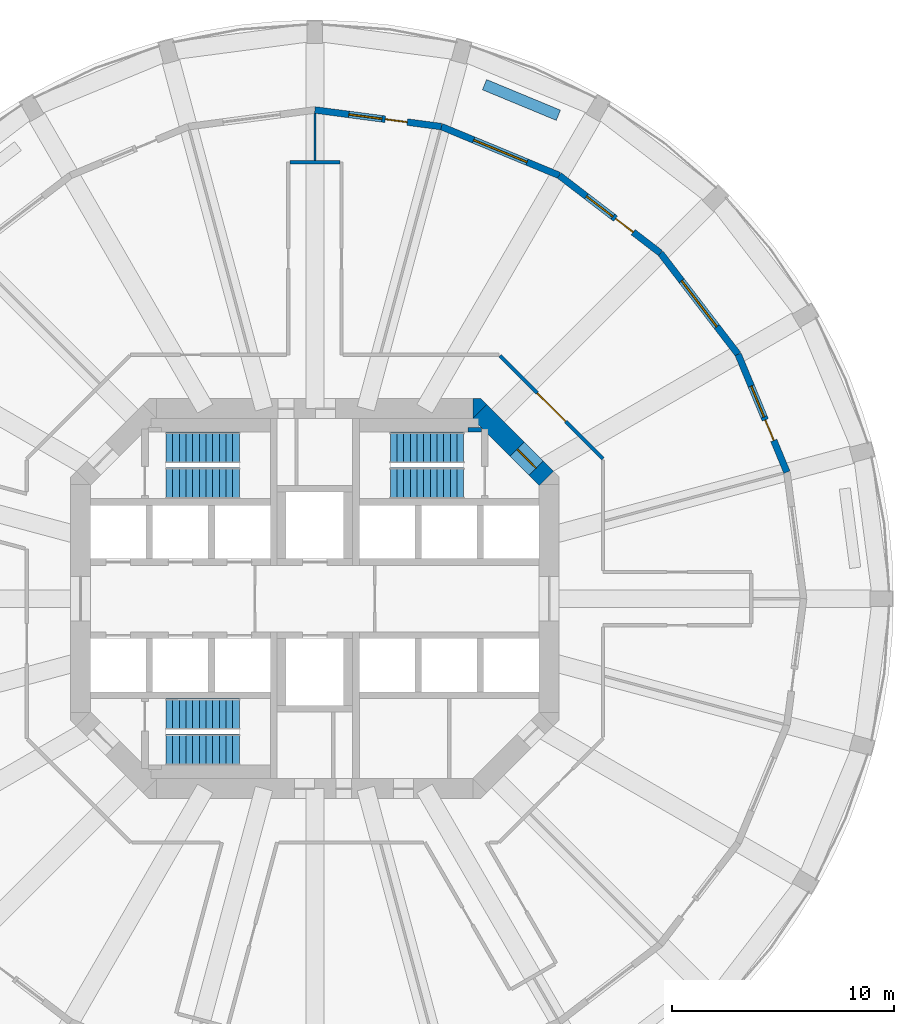
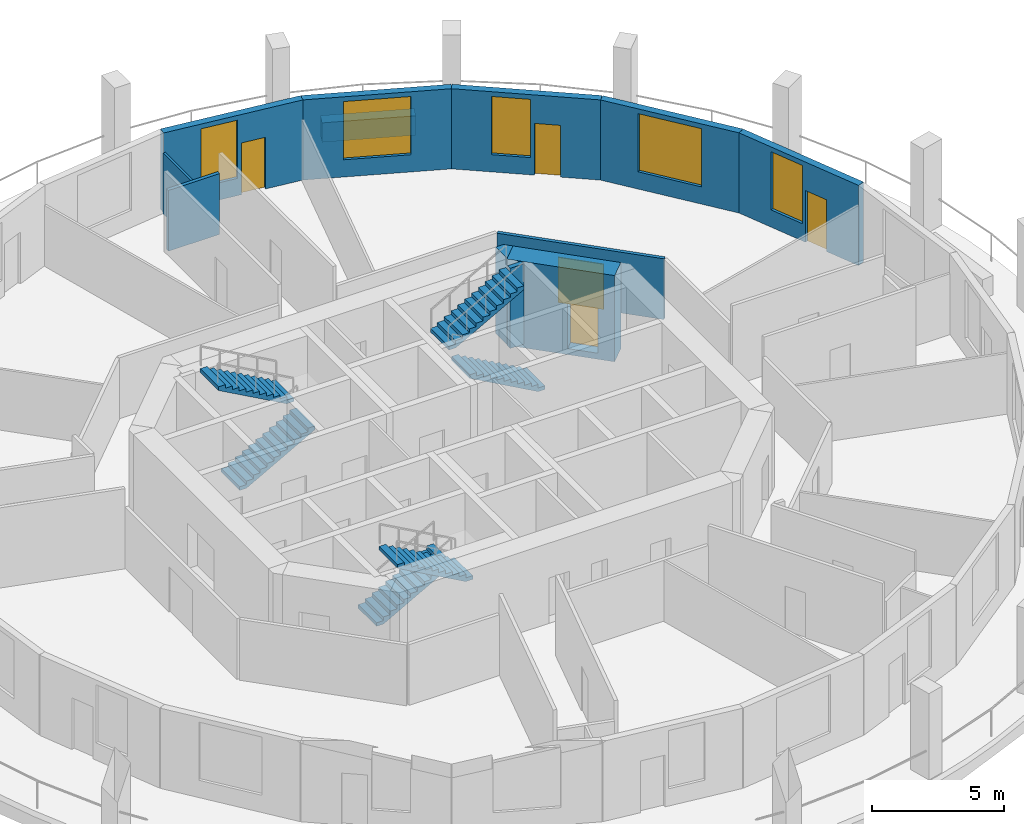
# One storey, part 6 of 8: 12 walls, 6 stair flights, 5 doors, 5 windows, 10 openings, 3 elements without a shape of their own.
"""IFC4 building model written with IfcOpenShell, lengths in metres."""

import ifcopenshell
import ifcopenshell.guid

model = None  # the IFC model being written
_history = None  # IfcOwnerHistory: only IFC2X3 demands one
_inside = {}  # id of a spatial element -> (the spatial element, [elements in it])
_under = {}  # id of a project, library or spatial element -> (it, [spatial elements below it])
_declared = {}  # id of a project -> (the project, [libraries it declares])
_typed = {}  # id of a type object -> (the type object, [elements of that type])
_made_of = {}  # id of a material, layer set ... -> (it, [elements and type objects made of it])


def new_model(schema):
    """Start an empty IFC model of exactly this schema.

    Asked for "IFC4X3", IfcOpenShell would pick the latest addendum, in which some entities
    have other attributes; the version numbers below select the first issue.
    IFC2X3 requires an IfcOwnerHistory on every rooted entity: one is made here for all.
    """
    global model, _history
    if schema == "IFC4X3":
        model = ifcopenshell.file(schema_version=(4, 3, 0, 0))
    else:
        model = ifcopenshell.file(schema=schema)
    _inside.clear()
    _under.clear()
    _declared.clear()
    _typed.clear()
    _made_of.clear()
    _history = None
    if model.schema == "IFC2X3":
        org = make("IfcOrganization", Name="unknown")
        user = make(
            "IfcPersonAndOrganization",
            ThePerson=make("IfcPerson", FamilyName="unknown"),
            TheOrganization=org,
        )
        app = make(
            "IfcApplication",
            ApplicationDeveloper=org,
            Version="unknown",
            ApplicationFullName="unknown",
            ApplicationIdentifier="unknown",
        )
        _history = make(
            "IfcOwnerHistory",
            OwningUser=user,
            OwningApplication=app,
            ChangeAction="ADDED",
            CreationDate=0,
        )
    return model


def make(cls, **values):
    """One entity of the class cls with the attributes given. An attribute that is None is left unset."""
    return model.create_entity(
        cls, **{name: value for name, value in values.items() if value is not None}
    )


def rooted(cls, **values):
    """An entity with a GlobalId (a new one), such as an element, a storey or a relation."""
    return make(cls, GlobalId=ifcopenshell.guid.new(), OwnerHistory=_history, **values)


def si_unit(unit_type, name, prefix=None):
    """IfcSIUnit, for example si_unit("LENGTHUNIT", "METRE", prefix="MILLI")."""
    return make("IfcSIUnit", UnitType=unit_type, Prefix=prefix, Name=name)


def assignment(units):
    """IfcUnitAssignment: the units of a project."""
    return None if units is None else make("IfcUnitAssignment", Units=units)


def point(xyz):
    """IfcCartesianPoint."""
    return None if xyz is None else make("IfcCartesianPoint", Coordinates=xyz)


def direction(xyz):
    """IfcDirection."""
    return None if xyz is None else make("IfcDirection", DirectionRatios=xyz)


def frame(location, z_axis=None, x_axis=None):
    """IfcAxis2Placement3D, a coordinate frame: its origin and axes. An axis left out is left unset."""
    return make(
        "IfcAxis2Placement3D",
        Location=point(location),
        Axis=direction(z_axis),
        RefDirection=direction(x_axis),
    )


def frame_2d(location, x_axis=None):
    """IfcAxis2Placement2D, a coordinate frame in the plane: its origin and x axis."""
    return make(
        "IfcAxis2Placement2D", Location=point(location), RefDirection=direction(x_axis)
    )


def origin():
    """The frame at (0, 0, 0) with its axes left unset."""
    return frame((0.0, 0.0, 0.0))


def place(relative_to, where):
    """IfcLocalPlacement: puts the frame where relative to a parent placement (None: the world)."""
    return make(
        "IfcLocalPlacement", PlacementRelTo=relative_to, RelativePlacement=where
    )


def context(
    kind, dimensions, precision=None, world=None, true_north=None, identifier=None
):
    """IfcGeometricRepresentationContext, for example the 3D "Model" context."""
    return make(
        "IfcGeometricRepresentationContext",
        ContextIdentifier=identifier,
        ContextType=kind,
        CoordinateSpaceDimension=dimensions,
        Precision=precision,
        WorldCoordinateSystem=world,
        TrueNorth=true_north,
    )


def subcontext(parent, identifier, kind, view, scale=None):
    """IfcGeometricRepresentationSubContext, for example "Body" below "Model"."""
    return make(
        "IfcGeometricRepresentationSubContext",
        ContextIdentifier=identifier,
        ContextType=kind,
        ParentContext=parent,
        TargetScale=scale,
        TargetView=view,
    )


def project(units=None, contexts=None):
    """IfcProject with its units and contexts."""
    return rooted(
        "IfcProject",
        Name="project",
        RepresentationContexts=contexts,
        UnitsInContext=assignment(units),
    )


def spatial(cls, under=None, at=None, **own):
    """A site, building, storey or space (cls), placed at a placement, below another one or the project."""
    s = rooted(cls, ObjectPlacement=at, **own)
    if under is not None:
        _under.setdefault(under.id(), (under, []))[1].append(s)
    return s


def polyline(points):
    """IfcPolyline through the points."""
    return make("IfcPolyline", Points=[point(p) for p in points])


def profile(cls, at=None, kind="AREA", **sizes):
    """A parametric profile (cls). Its sizes go by their IFC names, for example OverallWidth=200.0."""
    return make(cls, ProfileType=kind, Position=at, **sizes)


def rectangle(**sizes):
    """IfcRectangleProfileDef."""
    return profile("IfcRectangleProfileDef", **sizes)


def outline(outer, holes=None, kind="AREA"):
    """IfcArbitraryClosedProfileDef: a profile drawn as a closed curve; with holes, ...WithVoids."""
    if holes is None:
        return make("IfcArbitraryClosedProfileDef", ProfileType=kind, OuterCurve=outer)
    return make(
        "IfcArbitraryProfileDefWithVoids",
        ProfileType=kind,
        OuterCurve=outer,
        InnerCurves=holes,
    )


def extrude(swept, where, along, depth):
    """IfcExtrudedAreaSolid: the profile swept, set in the frame where, extruded along a direction by depth."""
    return make(
        "IfcExtrudedAreaSolid",
        SweptArea=swept,
        Position=where,
        ExtrudedDirection=direction(along),
        Depth=depth,
    )


def shape(context_of_items, identifier, shape_type, items):
    """IfcShapeRepresentation: the items that make up one representation, for example the "Body"."""
    return make(
        "IfcShapeRepresentation",
        ContextOfItems=context_of_items,
        RepresentationIdentifier=identifier,
        RepresentationType=shape_type,
        Items=items,
    )


def material(Name=None, Category=None):
    """IfcMaterial."""
    return make("IfcMaterial", Name=Name, Category=Category)


def layer(
    of_material, thickness, ventilated=None, Name=None, Category=None, Priority=None
):
    """IfcMaterialLayer: one layer of a wall or slab, of a material (None: an air gap)."""
    return make(
        "IfcMaterialLayer",
        Material=of_material,
        LayerThickness=thickness,
        IsVentilated=ventilated,
        Name=Name,
        Category=Category,
        Priority=Priority,
    )


def layer_set(layers, Name=None):
    """IfcMaterialLayerSet."""
    return make("IfcMaterialLayerSet", MaterialLayers=layers, LayerSetName=Name)


def made_of(thing, what):
    """Note that an element or type object is made of a material, layer set ...; save() writes the relation."""
    if what is not None:
        _made_of.setdefault(what.id(), (what, []))[1].append(thing)
    return thing


def type_object(cls, material=None, **own):
    """A type object (cls), such as IfcWallType, which elements share."""
    return made_of(rooted(cls, **own), material)


def element(
    cls,
    number,
    at=None,
    inside=None,
    cuts=None,
    type_object=None,
    material=None,
    context=None,
    identifier="Body",
    shape_type=None,
    held_by="IfcProductDefinitionShape",
    body=None,
    shapes=None,
    **own,
):
    """One element of the class cls, such as IfcWall. Its Tag is "e" and its number.

    at: its placement. inside: the storey or other place that contains it. cuts: it is an
    opening in that element (IfcRelVoidsElement). A single representation is given by context,
    identifier, shape_type and body (its items); several are given by shapes. held_by: the class
    of the entity that holds the representations. save() writes the other relations.
    """
    e = rooted(cls, Tag="e%d" % number, ObjectPlacement=at, **own)
    if body is not None:
        shapes = [shape(context, identifier, shape_type, body)]
    if shapes is not None:
        e.Representation = make(held_by, Representations=shapes)
    if inside is not None:
        _inside.setdefault(inside.id(), (inside, []))[1].append(e)
    if cuts is not None:
        rooted(
            "IfcRelVoidsElement", RelatingBuildingElement=cuts, RelatedOpeningElement=e
        )
    if type_object is not None:
        _typed.setdefault(type_object.id(), (type_object, []))[1].append(e)
    return made_of(e, material)


def fill(opening, filler):
    """IfcRelFillsElement: the door or window that sits in an opening."""
    return rooted(
        "IfcRelFillsElement",
        RelatingOpeningElement=opening,
        RelatedBuildingElement=filler,
    )


def aggregate(whole, parts):
    """IfcRelAggregates: a whole, such as a stair, and the parts it consists of."""
    return rooted("IfcRelAggregates", RelatingObject=whole, RelatedObjects=parts)


def save(model, path):
    """Write the relations noted so far, then the file.

    IfcRelAggregates (storeys below a building ...), IfcRelContainedInSpatialStructure (elements
    in a storey), IfcRelDefinesByType, IfcRelAssociatesMaterial and IfcRelDeclares: one each for
    every whole, place, type object, material and project.
    """
    for whole, parts in _under.values():
        aggregate(whole, parts)
    for where, things in _inside.values():
        rooted(
            "IfcRelContainedInSpatialStructure",
            RelatedElements=things,
            RelatingStructure=where,
        )
    for kind, things in _typed.values():
        rooted("IfcRelDefinesByType", RelatedObjects=things, RelatingType=kind)
    for what, things in _made_of.values():
        rooted("IfcRelAssociatesMaterial", RelatedObjects=things, RelatingMaterial=what)
    for by, libraries in _declared.values():
        rooted("IfcRelDeclares", RelatingContext=by, RelatedDefinitions=libraries)
    model.write(path)


model = new_model("IFC4")

# Units and contexts
model_context = context("Model", 3, precision=1e-05, world=origin(), true_north=direction((0.0, 1.0)))
body_context = subcontext(model_context, "Body", "Model", "MODEL_VIEW")
ifc_project = project(units=[si_unit("LENGTHUNIT", "METRE"), si_unit("AREAUNIT", "SQUARE_METRE"), si_unit("VOLUMEUNIT", "CUBIC_METRE"), si_unit("PLANEANGLEUNIT", "RADIAN"), si_unit("MASSUNIT", "GRAM", prefix="KILO")], contexts=[model_context])

# Site, building, storey
site_placement = place(None, origin())
site = spatial("IfcSite", under=ifc_project, at=site_placement, CompositionType="ELEMENT")
building_placement = place(site_placement, origin())
building = spatial("IfcBuilding", under=site, at=building_placement, Name="Torre Triforio", CompositionType="ELEMENT")
storey_placement = place(building_placement, frame((0.0, 0.0, 86.60009765625)))
storey = spatial("IfcBuildingStorey", under=building, at=storey_placement, Name="L18", CompositionType="ELEMENT", Elevation=86.60009765625)

# Wall, opening, door
ifc_material_1 = material(Name="Concrete C60", Category="concrete")
ifc_layer_1 = layer(ifc_material_1, 0.89990234375)
ifc_layer_set_1 = layer_set([ifc_layer_1], Name="Concrete C60")
wall_type_1 = type_object("IfcWallType", Name="Core wall 900 mm C60 EI 120", PredefinedType="SHEAR", material=ifc_layer_set_1)
wall_1_placement = place(storey_placement, frame((7.418212890625, 8.418212890625, -0.280029296875), z_axis=(0.0, 0.0, 1.0), x_axis=(0.707106781187, -0.707106781187, 0.0)))
wall_1 = element("IfcWall", 1, at=wall_1_placement, inside=storey, type_object=wall_type_1, Name="Core wall", PredefinedType="SHEAR", context=body_context, shape_type="SweptSolid", body=[
    extrude(rectangle(XDim=4.24267578125, YDim=0.89990234375, at=frame_2d((2.121337890625, 0.0))), origin(), (0.0, 0.0, 1.0), 4.0),
])
opening_1_placement = place(wall_1_placement, frame((2.392578125, 0.0, 0.280029296875)))
opening_1 = element("IfcOpeningElement", 2, at=opening_1_placement, cuts=wall_1, Name="Opening ST2-EXIT", PredefinedType="OPENING", context=body_context, shape_type="SweptSolid", body=[
    extrude(rectangle(XDim=1.199951171875, YDim=2.10009765625, at=frame_2d((0.60009765625, 1.050048828125))), frame((0.0, 0.4599609375, 0.0), z_axis=(0.0, -1.0, 0.0), x_axis=(1.0, 0.0, 0.0)), (0.0, 0.0, 1.0), 0.919921875),
])
ifc_material_2 = material(Name="Hollow metal fire door leaf")
door_type_1 = type_object("IfcDoorType", Name="Stair lobby door 1200 x 2100 EI 60", OperationType="NOTDEFINED", PredefinedType="DOOR", material=ifc_material_2)
door_1_placement = place(opening_1_placement, origin())
door_1 = element("IfcDoor", 3, at=door_1_placement, inside=storey, type_object=door_type_1, Name="Core door ST2-EXIT", OperationType="SINGLE_SWING_RIGHT", OverallHeight=2.10009765625, OverallWidth=1.199951171875, PredefinedType="DOOR", context=body_context, shape_type="SweptSolid", body=[
    extrude(rectangle(XDim=1.199951171875, YDim=2.10009765625, at=frame_2d((0.60009765625, 1.050048828125))), frame((0.0, 0.02490234375, 0.0), z_axis=(0.0, -1.0, 0.0), x_axis=(1.0, 0.0, 0.0)), (0.0, 0.0, 1.0), 0.050048828125),
])
fill(opening_1, door_1)

# Walls
wall_2_placement = place(storey_placement, frame((0.0, 0.0, -0.280029296875)))
element("IfcWall", 4, at=wall_2_placement, inside=storey, type_object=wall_type_1, Name="Core wall", PredefinedType="SHEAR", context=body_context, shape_type="SweptSolid", body=[
    extrude(outline(polyline([(7.472900390625, 9.0), (7.736328125, 8.736328125), (7.1298828125, 8.1298828125), (7.1298828125, 9.0), (7.472900390625, 9.0)])), origin(), (0.0, 0.0, 1.0), 4.0),
])
ifc_material_3 = material(Name="Plasterboard on metal studs")
ifc_layer_2 = layer(ifc_material_3, 0.14990234375)
ifc_layer_set_2 = layer_set([ifc_layer_2], Name="Plasterboard on metal studs")
wall_type_2 = type_object("IfcWallType", Name="Corridor and tenancy wall 150 mm EI 60", PredefinedType="PARTITIONING", material=ifc_layer_set_2)
wall_3_placement = place(storey_placement, frame((-1.125, 19.648681640625, 0.0), z_axis=(0.0, 0.0, 1.0), x_axis=(1.0, 0.0, 0.0)))
element("IfcWall", 5, at=wall_3_placement, inside=storey, type_object=wall_type_2, Name="Partition 22", PredefinedType="PARTITIONING", context=body_context, shape_type="SweptSolid", body=[
    extrude(rectangle(XDim=2.25, YDim=0.14990234375, at=frame_2d((1.125, 0.0))), origin(), (0.0, 0.0, 1.0), 2.81982421875),
])

# Wall, opening, door
wall_4_placement = place(storey_placement, frame((8.327880859375, 10.93798828125, 0.0), z_axis=(0.0, 0.0, 1.0), x_axis=(0.707125355289, -0.707088206597, 0.0)))
wall_4 = element("IfcWall", 6, at=wall_4_placement, inside=storey, type_object=wall_type_2, Name="Partition 25", PredefinedType="PARTITIONING", context=body_context, shape_type="SweptSolid", body=[
    extrude(rectangle(XDim=6.572021484375, YDim=0.14990234375, at=frame_2d((3.2861328125, 0.0))), origin(), (0.0, 0.0, 1.0), 2.81982421875),
])
opening_2_placement = place(wall_4_placement, frame((2.385986328125, 0.0, 0.0)))
opening_2 = element("IfcOpeningElement", 7, at=opening_2_placement, cuts=wall_4, Name="Opening N6-01", PredefinedType="OPENING", context=body_context, shape_type="SweptSolid", body=[
    extrude(rectangle(XDim=1.800048828125, YDim=2.10009765625, at=frame_2d((0.89990234375, 1.050048828125))), frame((0.0, 0.0849609375, 0.0), z_axis=(0.0, -1.0, 0.0), x_axis=(1.0, 0.0, 0.0)), (0.0, 0.0, 1.0), 0.169921875),
])
ifc_material_4 = material(Name="Timber", Category="wood")
door_type_2 = type_object("IfcDoorType", Name="Door 1800 x 2100 double leaf EI 30", OperationType="DOUBLE_DOOR_SINGLE_SWING", PredefinedType="DOOR", material=ifc_material_4)
door_2_placement = place(opening_2_placement, origin())
door_2 = element("IfcDoor", 8, at=door_2_placement, inside=storey, type_object=door_type_2, Name="Door N6-01", OperationType="DOUBLE_DOOR_SINGLE_SWING", OverallHeight=2.10009765625, OverallWidth=1.800048828125, PredefinedType="DOOR", context=body_context, shape_type="SweptSolid", body=[
    extrude(rectangle(XDim=1.800048828125, YDim=2.10009765625, at=frame_2d((0.89990234375, 1.050048828125))), frame((0.0, 0.02490234375, 0.0), z_axis=(0.0, -1.0, 0.0), x_axis=(1.0, 0.0, 0.0)), (0.0, 0.0, 1.0), 0.050048828125),
])
fill(opening_2, door_2)

# Walls
ifc_layer_3 = layer(ifc_material_3, 0.10009765625)
ifc_layer_set_3 = layer_set([ifc_layer_3], Name="Plasterboard on metal studs")
wall_type_3 = type_object("IfcWallType", Name="Partition 100 mm board on metal studs", PredefinedType="PARTITIONING", material=ifc_layer_set_3)
wall_5_placement = place(storey_placement, frame((0.0, 19.7236328125, 0.0), z_axis=(0.0, 0.0, 1.0), x_axis=(0.0, 1.0, 0.0)))
element("IfcWall", 9, at=wall_5_placement, inside=storey, type_object=wall_type_3, Name="Partition 32", PredefinedType="PARTITIONING", context=body_context, shape_type="SweptSolid", body=[
    extrude(rectangle(XDim=2.113037109375, YDim=0.10009765625, at=frame_2d((1.056640625, 0.0))), origin(), (0.0, 0.0, 1.0), 2.81982421875),
])
ifc_material_5 = material(Name="Limestone cladding", Category="masonry")
ifc_layer_4 = layer(ifc_material_5, 0.10009765625)
ifc_material_6 = material(Name="Concrete C40", Category="concrete")
ifc_layer_5 = layer(ifc_material_6, 0.39990234375)
ifc_layer_set_4 = layer_set([ifc_layer_4, ifc_layer_5], Name="Limestone cladding / Concrete C40")
wall_type_4 = type_object("IfcWallType", Name="Planter wall 500", PredefinedType="PARAPET", material=ifc_layer_set_4)
wall_6_placement = place(storey_placement, frame((10.962158203125, 21.761474609375, 0.0), z_axis=(0.0, 0.0, 1.0), x_axis=(-0.923875488976, 0.382693194178, 0.0)))
element("IfcWall", 10, at=wall_6_placement, inside=storey, type_object=wall_type_4, Name="Planter L18 bay 05", PredefinedType="PARAPET", context=body_context, shape_type="SweptSolid", body=[
    extrude(rectangle(XDim=3.599853515625, YDim=0.5, at=frame_2d((1.7998046875, 0.0))), origin(), (0.0, 0.0, 1.0), 0.89990234375),
])
ifc_layer_6 = layer(ifc_material_1, 0.199951171875)
ifc_layer_set_5 = layer_set([ifc_layer_6], Name="Concrete C60")
wall_type_5 = type_object("IfcWallType", Name="Stair wall 200 mm C60 EI 120", PredefinedType="SHEAR", material=ifc_layer_set_5)
wall_7_placement = place(storey_placement, frame((6.89990234375, 7.60009765625, 0.0), z_axis=(0.0, 0.0, 1.0), x_axis=(1.0, 0.0, 0.0)))
element("IfcWall", 11, at=wall_7_placement, inside=storey, type_object=wall_type_5, Name="Stair wall", PredefinedType="SHEAR", context=body_context, shape_type="SweptSolid", body=[
    extrude(rectangle(XDim=0.60009765625, YDim=0.199951171875, at=frame_2d((0.300048828125, 0.0))), origin(), (0.0, 0.0, 1.0), 3.719970703125),
])

# Wall, openings, door, window
ifc_layer_7 = layer(ifc_material_5, 0.10009765625)
ifc_layer_8 = layer(ifc_material_6, 0.199951171875)
ifc_layer_set_6 = layer_set([ifc_layer_7, ifc_layer_8], Name="Limestone cladding / Concrete C40")
wall_type_6 = type_object("IfcWallType", Name="Stone-faced composite wall 300", PredefinedType="STANDARD", material=ifc_layer_set_6)
wall_8_placement = place(storey_placement, frame((21.25048828125, 5.694091796875, 0.0), z_axis=(0.0, 0.0, 1.0), x_axis=(-0.382715966503, 0.923866055759, 0.0)))
wall_8 = element("IfcWall", 12, at=wall_8_placement, inside=storey, type_object=wall_type_6, Name="External wall L18 bay 02", PredefinedType="STANDARD", context=body_context, shape_type="SweptSolid", body=[
    extrude(rectangle(XDim=5.7431640625, YDim=0.300048828125, at=frame_2d((2.87158203125, 0.0))), origin(), (0.0, 0.0, 1.0), 3.719970703125),
])
opening_3_placement = place(wall_8_placement, frame((1.546630859375, 0.0, 0.0)))
opening_3 = element("IfcOpeningElement", 13, at=opening_3_placement, cuts=wall_8, Name="Opening N6-D02", PredefinedType="OPENING", context=body_context, shape_type="SweptSolid", body=[
    extrude(rectangle(XDim=1.0, YDim=2.39990234375, at=frame_2d((0.5, 1.199951171875))), frame((0.0, 0.159912109375, 0.0), z_axis=(0.0, -1.0, 0.0), x_axis=(1.0, 0.0, 0.0)), (0.0, 0.0, 1.0), 0.320068359375),
])
opening_4_placement = place(wall_8_placement, frame((2.696533203125, 0.0, 0.800048828125)))
opening_4 = element("IfcOpeningElement", 14, at=opening_4_placement, cuts=wall_8, Name="Opening N6-W02A", PredefinedType="OPENING", context=body_context, shape_type="SweptSolid", body=[
    extrude(rectangle(XDim=1.5, YDim=2.699951171875, at=frame_2d((0.75, 1.35009765625))), frame((0.0, 0.159912109375, 0.0), z_axis=(0.0, -1.0, 0.0), x_axis=(1.0, 0.0, 0.0)), (0.0, 0.0, 1.0), 0.320068359375),
])
ifc_material_7 = material(Name="Aluminium frame with clear double glazing", Category="aluminium")
door_type_3 = type_object("IfcDoorType", Name="Loggia door 1000 x 2400", OperationType="NOTDEFINED", PredefinedType="DOOR", material=ifc_material_7)
door_3_placement = place(opening_3_placement, origin())
door_3 = element("IfcDoor", 15, at=door_3_placement, inside=storey, type_object=door_type_3, Name="Loggia door L18 bay 02", OperationType="SINGLE_SWING_LEFT", OverallHeight=2.39990234375, OverallWidth=1.0, PredefinedType="DOOR", context=body_context, shape_type="SweptSolid", body=[
    extrude(rectangle(XDim=1.0, YDim=2.39990234375, at=frame_2d((0.5, 1.199951171875))), frame((0.0, 0.02490234375, 0.0), z_axis=(0.0, -1.0, 0.0), x_axis=(1.0, 0.0, 0.0)), (0.0, 0.0, 1.0), 0.050048828125),
])
fill(opening_3, door_3)
window_type_1 = type_object("IfcWindowType", Name="Side window 1500 x 2700", PartitioningType="SINGLE_PANEL", PredefinedType="WINDOW", material=ifc_material_7)
window_1_placement = place(opening_4_placement, origin())
window_1 = element("IfcWindow", 16, at=window_1_placement, inside=storey, type_object=window_type_1, Name="Side window EWN12 L18 bay 02", OverallHeight=2.699951171875, OverallWidth=1.5, PartitioningType="SINGLE_PANEL", PredefinedType="WINDOW", context=body_context, shape_type="SweptSolid", body=[
    extrude(rectangle(XDim=1.5, YDim=2.699951171875, at=frame_2d((0.75, 1.35009765625))), frame((0.0, 0.030029296875, 0.0), z_axis=(0.0, -1.0, 0.0), x_axis=(1.0, 0.0, 0.0)), (0.0, 0.0, 1.0), 0.06005859375),
])
fill(opening_4, window_1)

# Wall, opening, window
wall_9_placement = place(storey_placement, frame((19.052490234375, 11.0, 0.0), z_axis=(0.0, 0.0, 1.0), x_axis=(-0.608744744291, 0.793366142647, 0.0)))
wall_9 = element("IfcWall", 17, at=wall_9_placement, inside=storey, type_object=wall_type_6, Name="External wall L18 bay 03", PredefinedType="STANDARD", context=body_context, shape_type="SweptSolid", body=[
    extrude(rectangle(XDim=5.7431640625, YDim=0.300048828125, at=frame_2d((2.87158203125, 0.0))), origin(), (0.0, 0.0, 1.0), 3.719970703125),
])
opening_5_placement = place(wall_9_placement, frame((1.571533203125, 0.0, 0.800048828125)))
opening_5 = element("IfcOpeningElement", 18, at=opening_5_placement, cuts=wall_9, Name="Opening N6-W03", PredefinedType="OPENING", context=body_context, shape_type="SweptSolid", body=[
    extrude(rectangle(XDim=2.60009765625, YDim=2.699951171875, at=frame_2d((1.300048828125, 1.35009765625))), frame((0.0, 0.159912109375, 0.0), z_axis=(0.0, -1.0, 0.0), x_axis=(1.0, 0.0, 0.0)), (0.0, 0.0, 1.0), 0.320068359375),
])
window_type_2 = type_object("IfcWindowType", Name="Punched window 2600 x 2700", PartitioningType="DOUBLE_PANEL_VERTICAL", PredefinedType="WINDOW", material=ifc_material_7)
window_2_placement = place(opening_5_placement, origin())
window_2 = element("IfcWindow", 19, at=window_2_placement, inside=storey, type_object=window_type_2, Name="Window EWN2 L18 bay 03", OverallHeight=2.699951171875, OverallWidth=2.60009765625, PartitioningType="SINGLE_PANEL", PredefinedType="WINDOW", context=body_context, shape_type="SweptSolid", body=[
    extrude(rectangle(XDim=2.60009765625, YDim=2.699951171875, at=frame_2d((1.300048828125, 1.35009765625))), frame((0.0, 0.030029296875, 0.0), z_axis=(0.0, -1.0, 0.0), x_axis=(1.0, 0.0, 0.0)), (0.0, 0.0, 1.0), 0.06005859375),
])
fill(opening_5, window_2)

# Wall, openings, door, window
wall_10_placement = place(storey_placement, frame((15.556396484375, 15.556396484375, 0.0), z_axis=(0.0, 0.0, 1.0), x_axis=(-0.793366142647, 0.608744744291, 0.0)))
wall_10 = element("IfcWall", 20, at=wall_10_placement, inside=storey, type_object=wall_type_6, Name="External wall L18 bay 04", PredefinedType="STANDARD", context=body_context, shape_type="SweptSolid", body=[
    extrude(rectangle(XDim=5.7431640625, YDim=0.300048828125, at=frame_2d((2.87158203125, 0.0))), origin(), (0.0, 0.0, 1.0), 3.719970703125),
])
opening_6_placement = place(wall_10_placement, frame((1.546630859375, 0.0, 0.0)))
opening_6 = element("IfcOpeningElement", 21, at=opening_6_placement, cuts=wall_10, Name="Opening N6-D04", PredefinedType="OPENING", context=body_context, shape_type="SweptSolid", body=[
    extrude(rectangle(XDim=1.0, YDim=2.39990234375, at=frame_2d((0.5, 1.199951171875))), frame((0.0, 0.159912109375, 0.0), z_axis=(0.0, -1.0, 0.0), x_axis=(1.0, 0.0, 0.0)), (0.0, 0.0, 1.0), 0.320068359375),
])
opening_7_placement = place(wall_10_placement, frame((2.696533203125, 0.0, 0.800048828125)))
opening_7 = element("IfcOpeningElement", 22, at=opening_7_placement, cuts=wall_10, Name="Opening N6-W04A", PredefinedType="OPENING", context=body_context, shape_type="SweptSolid", body=[
    extrude(rectangle(XDim=1.5, YDim=2.699951171875, at=frame_2d((0.75, 1.35009765625))), frame((0.0, 0.159912109375, 0.0), z_axis=(0.0, -1.0, 0.0), x_axis=(1.0, 0.0, 0.0)), (0.0, 0.0, 1.0), 0.320068359375),
])
door_4_placement = place(opening_6_placement, origin())
door_4 = element("IfcDoor", 23, at=door_4_placement, inside=storey, type_object=door_type_3, Name="Loggia door L18 bay 04", OperationType="SINGLE_SWING_LEFT", OverallHeight=2.39990234375, OverallWidth=1.0, PredefinedType="DOOR", context=body_context, shape_type="SweptSolid", body=[
    extrude(rectangle(XDim=1.0, YDim=2.39990234375, at=frame_2d((0.5, 1.199951171875))), frame((0.0, 0.02490234375, 0.0), z_axis=(0.0, -1.0, 0.0), x_axis=(1.0, 0.0, 0.0)), (0.0, 0.0, 1.0), 0.050048828125),
])
fill(opening_6, door_4)
window_3_placement = place(opening_7_placement, origin())
window_3 = element("IfcWindow", 24, at=window_3_placement, inside=storey, type_object=window_type_1, Name="Side window EWN12 L18 bay 04", OverallHeight=2.699951171875, OverallWidth=1.5, PartitioningType="SINGLE_PANEL", PredefinedType="WINDOW", context=body_context, shape_type="SweptSolid", body=[
    extrude(rectangle(XDim=1.5, YDim=2.699951171875, at=frame_2d((0.75, 1.35009765625))), frame((0.0, 0.030029296875, 0.0), z_axis=(0.0, -1.0, 0.0), x_axis=(1.0, 0.0, 0.0)), (0.0, 0.0, 1.0), 0.06005859375),
])
fill(opening_7, window_3)

# Wall, opening, window
wall_11_placement = place(storey_placement, frame((11.0, 19.052490234375, 0.0), z_axis=(0.0, 0.0, 1.0), x_axis=(-0.923866055759, 0.382715966503, 0.0)))
wall_11 = element("IfcWall", 25, at=wall_11_placement, inside=storey, type_object=wall_type_6, Name="External wall L18 bay 05", PredefinedType="STANDARD", context=body_context, shape_type="SweptSolid", body=[
    extrude(rectangle(XDim=5.7431640625, YDim=0.300048828125, at=frame_2d((2.87158203125, 0.0))), origin(), (0.0, 0.0, 1.0), 3.719970703125),
])
opening_8_placement = place(wall_11_placement, frame((1.571533203125, 0.0, 0.800048828125)))
opening_8 = element("IfcOpeningElement", 26, at=opening_8_placement, cuts=wall_11, Name="Opening N6-W05", PredefinedType="OPENING", context=body_context, shape_type="SweptSolid", body=[
    extrude(rectangle(XDim=2.60009765625, YDim=2.699951171875, at=frame_2d((1.300048828125, 1.35009765625))), frame((0.0, 0.159912109375, 0.0), z_axis=(0.0, -1.0, 0.0), x_axis=(1.0, 0.0, 0.0)), (0.0, 0.0, 1.0), 0.320068359375),
])
window_4_placement = place(opening_8_placement, origin())
window_4 = element("IfcWindow", 27, at=window_4_placement, inside=storey, type_object=window_type_2, Name="Window EWN2 L18 bay 05", OverallHeight=2.699951171875, OverallWidth=2.60009765625, PartitioningType="SINGLE_PANEL", PredefinedType="WINDOW", context=body_context, shape_type="SweptSolid", body=[
    extrude(rectangle(XDim=2.60009765625, YDim=2.699951171875, at=frame_2d((1.300048828125, 1.35009765625))), frame((0.0, 0.030029296875, 0.0), z_axis=(0.0, -1.0, 0.0), x_axis=(1.0, 0.0, 0.0)), (0.0, 0.0, 1.0), 0.06005859375),
])
fill(opening_8, window_4)

# Wall, openings, door, window
wall_12_placement = place(storey_placement, frame((5.694091796875, 21.25048828125, 0.0), z_axis=(0.0, 0.0, 1.0), x_axis=(-0.991447783331, 0.130503995834, 0.0)))
wall_12 = element("IfcWall", 28, at=wall_12_placement, inside=storey, type_object=wall_type_6, Name="External wall L18 bay 06", PredefinedType="STANDARD", context=body_context, shape_type="SweptSolid", body=[
    extrude(rectangle(XDim=5.7431640625, YDim=0.300048828125, at=frame_2d((2.87158203125, 0.0))), origin(), (0.0, 0.0, 1.0), 3.719970703125),
])
opening_9_placement = place(wall_12_placement, frame((1.546630859375, 0.0, 0.0)))
opening_9 = element("IfcOpeningElement", 29, at=opening_9_placement, cuts=wall_12, Name="Opening N6-D06", PredefinedType="OPENING", context=body_context, shape_type="SweptSolid", body=[
    extrude(rectangle(XDim=1.0, YDim=2.39990234375, at=frame_2d((0.5, 1.199951171875))), frame((0.0, 0.159912109375, 0.0), z_axis=(0.0, -1.0, 0.0), x_axis=(1.0, 0.0, 0.0)), (0.0, 0.0, 1.0), 0.320068359375),
])
opening_10_placement = place(wall_12_placement, frame((2.696533203125, 0.0, 0.800048828125)))
opening_10 = element("IfcOpeningElement", 30, at=opening_10_placement, cuts=wall_12, Name="Opening N6-W06A", PredefinedType="OPENING", context=body_context, shape_type="SweptSolid", body=[
    extrude(rectangle(XDim=1.5, YDim=2.699951171875, at=frame_2d((0.75, 1.35009765625))), frame((0.0, 0.159912109375, 0.0), z_axis=(0.0, -1.0, 0.0), x_axis=(1.0, 0.0, 0.0)), (0.0, 0.0, 1.0), 0.320068359375),
])
door_5_placement = place(opening_9_placement, origin())
door_5 = element("IfcDoor", 31, at=door_5_placement, inside=storey, type_object=door_type_3, Name="Loggia door L18 bay 06", OperationType="SINGLE_SWING_LEFT", OverallHeight=2.39990234375, OverallWidth=1.0, PredefinedType="DOOR", context=body_context, shape_type="SweptSolid", body=[
    extrude(rectangle(XDim=1.0, YDim=2.39990234375, at=frame_2d((0.5, 1.199951171875))), frame((0.0, 0.02490234375, 0.0), z_axis=(0.0, -1.0, 0.0), x_axis=(1.0, 0.0, 0.0)), (0.0, 0.0, 1.0), 0.050048828125),
])
fill(opening_9, door_5)
window_5_placement = place(opening_10_placement, origin())
window_5 = element("IfcWindow", 32, at=window_5_placement, inside=storey, type_object=window_type_1, Name="Side window EWN12 L18 bay 06", OverallHeight=2.699951171875, OverallWidth=1.5, PartitioningType="SINGLE_PANEL", PredefinedType="WINDOW", context=body_context, shape_type="SweptSolid", body=[
    extrude(rectangle(XDim=1.5, YDim=2.699951171875, at=frame_2d((0.75, 1.35009765625))), frame((0.0, 0.030029296875, 0.0), z_axis=(0.0, -1.0, 0.0), x_axis=(1.0, 0.0, 0.0)), (0.0, 0.0, 1.0), 0.06005859375),
])
fill(opening_10, window_5)

# Stair, stair flights
stair_type = type_object("IfcStairType", Name="STAIR HALF-TURN", PredefinedType="HALF_TURN_STAIR", material=ifc_material_6)
stair_1_placement = place(storey_placement, origin())
stair_1 = element("IfcStair", 33, at=stair_1_placement, inside=storey, type_object=stair_type, Name="Exit stair 1", PredefinedType="HALF_TURN_STAIR")
stair_flight_type = type_object("IfcStairFlightType", Name="STAIR FLIGHT 1400", PredefinedType="STRAIGHT", material=ifc_material_6)
stair_flight_1_placement = place(storey_placement, frame((-6.699951171875, 5.199951171875, 0.0), z_axis=(0.0, 0.0, 1.0), x_axis=(1.0, 0.0, 0.0)))
stair_flight_1 = element("IfcStairFlight", 34, at=stair_flight_1_placement, type_object=stair_flight_type, Name="ST1 flight 1", NumberOfRisers=12, NumberOfTreads=11, PredefinedType="STRAIGHT", RiserHeight=0.166666667, TreadLength=0.3, context=body_context, shape_type="SweptSolid", body=[
    extrude(outline(polyline([(0.0, 0.0), (0.0, 0.166748046875), (0.300048828125, 0.166748046875), (0.300048828125, 0.333251953125), (0.60009765625, 0.333251953125), (0.60009765625, 0.5), (0.89990234375, 0.5), (0.89990234375, 0.666748046875), (1.199951171875, 0.666748046875), (1.199951171875, 0.833251953125), (1.5, 0.833251953125), (1.5, 1.0), (1.800048828125, 1.0), (1.800048828125, 1.166748046875), (2.10009765625, 1.166748046875), (2.10009765625, 1.333251953125), (2.39990234375, 1.333251953125), (2.39990234375, 1.5), (2.699951171875, 1.5), (2.699951171875, 1.666748046875), (3.0, 1.666748046875), (3.0, 1.833251953125), (3.300048828125, 1.833251953125), (3.300048828125, 2.0), (3.300048828125, 1.661865234375), (0.30859375, 0.0), (0.0, 0.0)])), frame((0.0, 0.699951171875, 0.0), z_axis=(0.0, -1.0, 0.0), x_axis=(1.0, 0.0, 0.0)), (0.0, 0.0, 1.0), 1.39990234375),
])
stair_flight_2_placement = place(storey_placement, frame((-3.39990234375, 6.800048828125, 2.0), z_axis=(0.0, 0.0, 1.0), x_axis=(-1.0, 0.0, 0.0)))
stair_flight_2 = element("IfcStairFlight", 35, at=stair_flight_2_placement, type_object=stair_flight_type, Name="ST1 flight 2", NumberOfRisers=12, NumberOfTreads=11, PredefinedType="STRAIGHT", RiserHeight=0.166666667, TreadLength=0.3, context=body_context, shape_type="SweptSolid", body=[
    extrude(outline(polyline([(0.0, 0.0), (0.0, 0.166748046875), (0.300048828125, 0.166748046875), (0.300048828125, 0.333251953125), (0.60009765625, 0.333251953125), (0.60009765625, 0.5), (0.89990234375, 0.5), (0.89990234375, 0.666748046875), (1.199951171875, 0.666748046875), (1.199951171875, 0.833251953125), (1.5, 0.833251953125), (1.5, 1.0), (1.800048828125, 1.0), (1.800048828125, 1.166748046875), (2.10009765625, 1.166748046875), (2.10009765625, 1.333251953125), (2.39990234375, 1.333251953125), (2.39990234375, 1.5), (2.699951171875, 1.5), (2.699951171875, 1.666748046875), (3.0, 1.666748046875), (3.0, 1.833251953125), (3.300048828125, 1.833251953125), (3.300048828125, 2.0), (3.300048828125, 1.661865234375), (0.30859375, 0.0), (0.0, 0.0)])), frame((0.0, 0.699951171875, 0.0), z_axis=(0.0, -1.0, 0.0), x_axis=(1.0, 0.0, 0.0)), (0.0, 0.0, 1.0), 1.39990234375),
])
aggregate(stair_1, [stair_flight_1, stair_flight_2])

stair_2_placement = place(storey_placement, origin())
stair_2 = element("IfcStair", 36, at=stair_2_placement, inside=storey, type_object=stair_type, Name="Exit stair 2", PredefinedType="HALF_TURN_STAIR")
stair_flight_3_placement = place(storey_placement, frame((6.699951171875, 5.199951171875, 0.0), z_axis=(0.0, 0.0, 1.0), x_axis=(-1.0, 0.0, 0.0)))
stair_flight_3 = element("IfcStairFlight", 37, at=stair_flight_3_placement, type_object=stair_flight_type, Name="ST2 flight 1", NumberOfRisers=12, NumberOfTreads=11, PredefinedType="STRAIGHT", RiserHeight=0.166666667, TreadLength=0.3, context=body_context, shape_type="SweptSolid", body=[
    extrude(outline(polyline([(0.0, 0.0), (0.0, 0.166748046875), (0.300048828125, 0.166748046875), (0.300048828125, 0.333251953125), (0.60009765625, 0.333251953125), (0.60009765625, 0.5), (0.89990234375, 0.5), (0.89990234375, 0.666748046875), (1.199951171875, 0.666748046875), (1.199951171875, 0.833251953125), (1.5, 0.833251953125), (1.5, 1.0), (1.800048828125, 1.0), (1.800048828125, 1.166748046875), (2.10009765625, 1.166748046875), (2.10009765625, 1.333251953125), (2.39990234375, 1.333251953125), (2.39990234375, 1.5), (2.699951171875, 1.5), (2.699951171875, 1.666748046875), (3.0, 1.666748046875), (3.0, 1.833251953125), (3.300048828125, 1.833251953125), (3.300048828125, 2.0), (3.300048828125, 1.661865234375), (0.30859375, 0.0), (0.0, 0.0)])), frame((0.0, 0.699951171875, 0.0), z_axis=(0.0, -1.0, 0.0), x_axis=(1.0, 0.0, 0.0)), (0.0, 0.0, 1.0), 1.39990234375),
])
stair_flight_4_placement = place(storey_placement, frame((3.39990234375, 6.800048828125, 2.0), z_axis=(0.0, 0.0, 1.0), x_axis=(1.0, 0.0, 0.0)))
stair_flight_4 = element("IfcStairFlight", 38, at=stair_flight_4_placement, type_object=stair_flight_type, Name="ST2 flight 2", NumberOfRisers=12, NumberOfTreads=11, PredefinedType="STRAIGHT", RiserHeight=0.166666667, TreadLength=0.3, context=body_context, shape_type="SweptSolid", body=[
    extrude(outline(polyline([(0.0, 0.0), (0.0, 0.166748046875), (0.300048828125, 0.166748046875), (0.300048828125, 0.333251953125), (0.60009765625, 0.333251953125), (0.60009765625, 0.5), (0.89990234375, 0.5), (0.89990234375, 0.666748046875), (1.199951171875, 0.666748046875), (1.199951171875, 0.833251953125), (1.5, 0.833251953125), (1.5, 1.0), (1.800048828125, 1.0), (1.800048828125, 1.166748046875), (2.10009765625, 1.166748046875), (2.10009765625, 1.333251953125), (2.39990234375, 1.333251953125), (2.39990234375, 1.5), (2.699951171875, 1.5), (2.699951171875, 1.666748046875), (3.0, 1.666748046875), (3.0, 1.833251953125), (3.300048828125, 1.833251953125), (3.300048828125, 2.0), (3.300048828125, 1.661865234375), (0.30859375, 0.0), (0.0, 0.0)])), frame((0.0, 0.699951171875, 0.0), z_axis=(0.0, -1.0, 0.0), x_axis=(1.0, 0.0, 0.0)), (0.0, 0.0, 1.0), 1.39990234375),
])
aggregate(stair_2, [stair_flight_3, stair_flight_4])

stair_3_placement = place(storey_placement, origin())
stair_3 = element("IfcStair", 39, at=stair_3_placement, inside=storey, type_object=stair_type, Name="Exit stair 3", PredefinedType="HALF_TURN_STAIR")
stair_flight_5_placement = place(storey_placement, frame((-6.699951171875, -5.199951171875, 0.0), z_axis=(0.0, 0.0, 1.0), x_axis=(1.0, 0.0, 0.0)))
stair_flight_5 = element("IfcStairFlight", 40, at=stair_flight_5_placement, type_object=stair_flight_type, Name="ST3 flight 1", NumberOfRisers=12, NumberOfTreads=11, PredefinedType="STRAIGHT", RiserHeight=0.166666667, TreadLength=0.3, context=body_context, shape_type="SweptSolid", body=[
    extrude(outline(polyline([(0.0, 0.0), (0.0, 0.166748046875), (0.300048828125, 0.166748046875), (0.300048828125, 0.333251953125), (0.60009765625, 0.333251953125), (0.60009765625, 0.5), (0.89990234375, 0.5), (0.89990234375, 0.666748046875), (1.199951171875, 0.666748046875), (1.199951171875, 0.833251953125), (1.5, 0.833251953125), (1.5, 1.0), (1.800048828125, 1.0), (1.800048828125, 1.166748046875), (2.10009765625, 1.166748046875), (2.10009765625, 1.333251953125), (2.39990234375, 1.333251953125), (2.39990234375, 1.5), (2.699951171875, 1.5), (2.699951171875, 1.666748046875), (3.0, 1.666748046875), (3.0, 1.833251953125), (3.300048828125, 1.833251953125), (3.300048828125, 2.0), (3.300048828125, 1.661865234375), (0.30859375, 0.0), (0.0, 0.0)])), frame((0.0, 0.699951171875, 0.0), z_axis=(0.0, -1.0, 0.0), x_axis=(1.0, 0.0, 0.0)), (0.0, 0.0, 1.0), 1.39990234375),
])
stair_flight_6_placement = place(storey_placement, frame((-3.39990234375, -6.800048828125, 2.0), z_axis=(0.0, 0.0, 1.0), x_axis=(-1.0, 0.0, 0.0)))
stair_flight_6 = element("IfcStairFlight", 41, at=stair_flight_6_placement, type_object=stair_flight_type, Name="ST3 flight 2", NumberOfRisers=12, NumberOfTreads=11, PredefinedType="STRAIGHT", RiserHeight=0.166666667, TreadLength=0.3, context=body_context, shape_type="SweptSolid", body=[
    extrude(outline(polyline([(0.0, 0.0), (0.0, 0.166748046875), (0.300048828125, 0.166748046875), (0.300048828125, 0.333251953125), (0.60009765625, 0.333251953125), (0.60009765625, 0.5), (0.89990234375, 0.5), (0.89990234375, 0.666748046875), (1.199951171875, 0.666748046875), (1.199951171875, 0.833251953125), (1.5, 0.833251953125), (1.5, 1.0), (1.800048828125, 1.0), (1.800048828125, 1.166748046875), (2.10009765625, 1.166748046875), (2.10009765625, 1.333251953125), (2.39990234375, 1.333251953125), (2.39990234375, 1.5), (2.699951171875, 1.5), (2.699951171875, 1.666748046875), (3.0, 1.666748046875), (3.0, 1.833251953125), (3.300048828125, 1.833251953125), (3.300048828125, 2.0), (3.300048828125, 1.661865234375), (0.30859375, 0.0), (0.0, 0.0)])), frame((0.0, 0.699951171875, 0.0), z_axis=(0.0, -1.0, 0.0), x_axis=(1.0, 0.0, 0.0)), (0.0, 0.0, 1.0), 1.39990234375),
])
aggregate(stair_3, [stair_flight_5, stair_flight_6])

save(model, "model.ifc")
